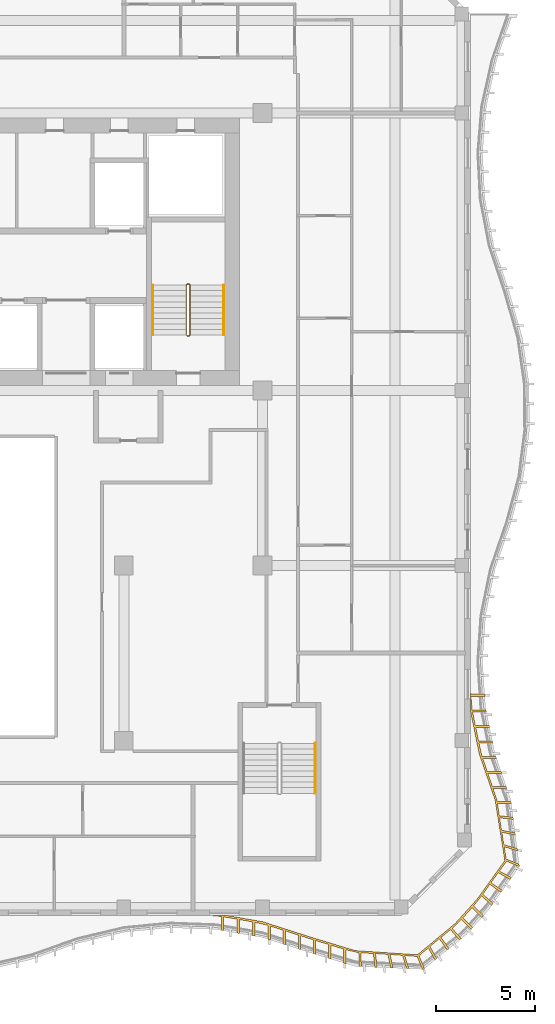
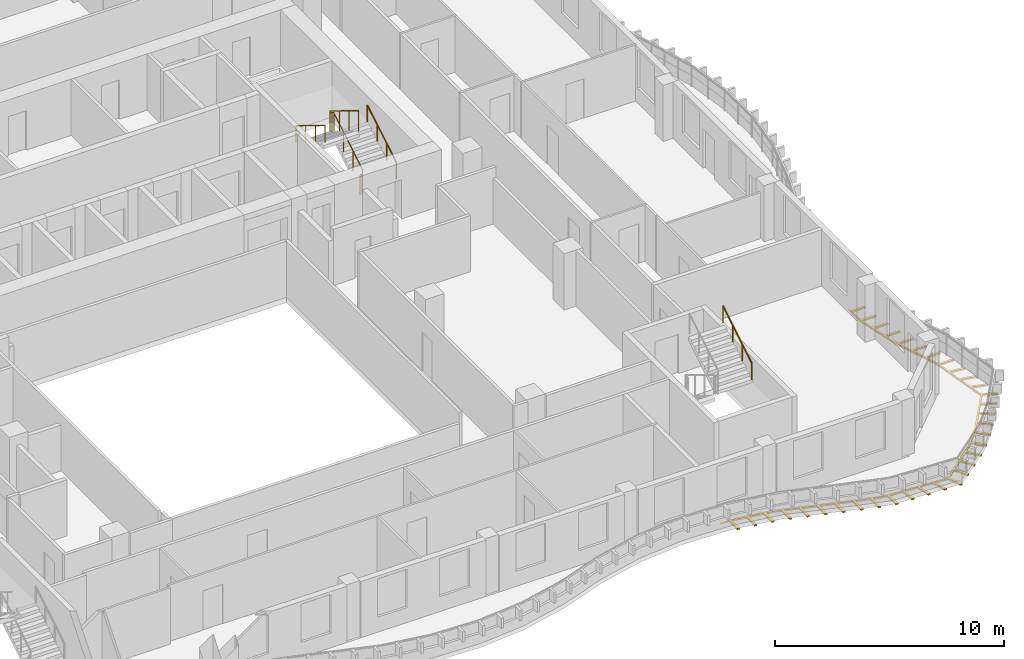
# One storey, part 13 of 13: 4 railings, 1 shading device.
"""IFC4 building model written with IfcOpenShell, lengths in metres."""

from ifc_helpers import new_model, si_unit, direction, frame, origin, origin_2d, place, context, subcontext, project, spatial, polyline, circle, outline, extrude, source, transform, mapped, material, layer, layer_set, type_object, element, save


model = new_model("IFC4")

# Units and contexts
model_context = context("Model", 3, precision=1e-05, world=origin(), true_north=direction((0.0, 1.0)))
body_context = subcontext(model_context, "Body", "Model", "MODEL_VIEW")
ifc_project = project(units=[si_unit("LENGTHUNIT", "METRE"), si_unit("AREAUNIT", "SQUARE_METRE"), si_unit("VOLUMEUNIT", "CUBIC_METRE"), si_unit("PLANEANGLEUNIT", "RADIAN"), si_unit("MASSUNIT", "GRAM", prefix="KILO")], contexts=[model_context])

# Site, building, storey
site_placement = place(None, origin())
site = spatial("IfcSite", under=ifc_project, at=site_placement, CompositionType="ELEMENT")
building_placement = place(site_placement, origin())
building = spatial("IfcBuilding", under=site, at=building_placement, Name="Kilnfold Tower and Market Hall", CompositionType="ELEMENT")
storey_placement = place(building_placement, frame((0.0, 0.0, 259.39990234375)))
storey = spatial("IfcBuildingStorey", under=building, at=storey_placement, Name="L63", CompositionType="ELEMENT", Elevation=259.39990234375)

# Railings
ifc_material_1 = material(Name="Stainless steel 316", Category="steel")
railing_type_1 = type_object("IfcRailingType", Name="CORE STAIR GUARD 1100", PredefinedType="GUARDRAIL", material=ifc_material_1)
railing_1_placement = place(storey_placement, frame((15.199951171875, 10.75, 0.0)))
element("IfcRailing", 1, at=railing_1_placement, inside=storey, type_object=railing_type_1, Name="L63 ST2 stair guard 1", PredefinedType="GUARDRAIL", context=body_context, shape_type="SweptSolid", body=[
    extrude(circle(Radius=0.02392578125, at=origin_2d()), frame((0.0, 0.0, 1.076171875), z_axis=(1.0, 0.0, 0.0), x_axis=(0.0, 1.0, 0.0)), (0.0, 0.0, 1.0), 0.10009765625),
    extrude(circle(Radius=0.02392578125, at=origin_2d()), frame((0.10009765625, 0.0, 1.076171875), z_axis=(0.271562723297, 0.271562723297, 0.923313259209), x_axis=(-0.707106781187, 0.707106781187, 0.0)), (0.0, 0.0, 1.0), 0.184326171875),
    extrude(circle(Radius=0.02392578125, at=origin_2d()), frame((0.150146484375, 0.050048828125, 1.24609375), z_axis=(0.0, 0.85478489116, 0.518982456201), x_axis=(-1.0, 0.0, 0.0)), (0.0, 0.0, 1.0), 2.9482421875),
    extrude(circle(Radius=0.02392578125, at=origin_2d()), frame((0.150146484375, 2.570068359375, 2.7763671875), z_axis=(-0.707106781187, 0.707106781187, 0.0), x_axis=(-0.707106781187, -0.707106781187, 0.0)), (0.0, 0.0, 1.0), 0.07080078125),
    extrude(circle(Radius=0.02392578125, at=origin_2d()), frame((0.10009765625, 2.6201171875, 2.7763671875), z_axis=(-1.0, 0.0, 0.0), x_axis=(0.0, -1.0, 0.0)), (0.0, 0.0, 1.0), 0.10009765625),
    extrude(circle(Radius=0.02392578125, at=origin_2d()), frame((0.0, 2.6201171875, 2.7763671875), z_axis=(-0.271895245746, -0.271895245746, 0.923117517265), x_axis=(0.707106781187, -0.707106781187, 0.0)), (0.0, 0.0, 1.0), 0.18408203125),
    extrude(circle(Radius=0.02392578125, at=origin_2d()), frame((-0.050048828125, 2.570068359375, 2.9462890625), z_axis=(0.0, -0.85478489116, 0.518982456201), x_axis=(1.0, 0.0, 0.0)), (0.0, 0.0, 1.0), 2.9482421875),
    extrude(circle(Radius=0.02099609375, at=origin_2d()), origin(), (0.0, 0.0, 1.0), 1.052001953125),
    extrude(circle(Radius=0.02099609375, at=origin_2d()), frame((0.10009765625, 0.0, 0.0)), (0.0, 0.0, 1.0), 1.052001953125),
    extrude(circle(Radius=0.02099609375, at=origin_2d()), frame((0.150146484375, 0.050048828125, 0.170166015625)), (0.0, 0.0, 1.0), 1.052001953125),
    extrude(circle(Radius=0.02099609375, at=origin_2d()), frame((0.150146484375, 0.89013671875, 0.68017578125)), (0.0, 0.0, 1.0), 1.052001953125),
    extrude(circle(Radius=0.02099609375, at=origin_2d()), frame((0.150146484375, 1.72998046875, 1.190185546875)), (0.0, 0.0, 1.0), 1.052001953125),
    extrude(circle(Radius=0.02099609375, at=origin_2d()), frame((0.150146484375, 2.570068359375, 1.7001953125)), (0.0, 0.0, 1.0), 1.052001953125),
    extrude(circle(Radius=0.02099609375, at=origin_2d()), frame((0.10009765625, 2.6201171875, 1.7001953125)), (0.0, 0.0, 1.0), 1.052001953125),
    extrude(circle(Radius=0.02099609375, at=origin_2d()), frame((0.0, 2.6201171875, 1.7001953125)), (0.0, 0.0, 1.0), 1.052001953125),
    extrude(circle(Radius=0.02099609375, at=origin_2d()), frame((-0.050048828125, 2.570068359375, 1.8701171875)), (0.0, 0.0, 1.0), 1.052001953125),
    extrude(circle(Radius=0.02099609375, at=origin_2d()), frame((-0.050048828125, 1.72998046875, 2.380126953125)), (0.0, 0.0, 1.0), 1.052001953125),
    extrude(circle(Radius=0.02099609375, at=origin_2d()), frame((-0.050048828125, 0.89013671875, 2.89013671875)), (0.0, 0.0, 1.0), 1.052001953125),
    extrude(circle(Radius=0.02099609375, at=origin_2d()), frame((-0.050048828125, 0.050048828125, 3.400146484375)), (0.0, 0.0, 1.0), 1.052001953125),
])
ifc_material_2 = material(Name="Stainless steel 316", Category="steel")
railing_type_2 = type_object("IfcRailingType", Name="CORE STAIR HANDRAIL 900", PredefinedType="HANDRAIL", material=ifc_material_2)
railing_2_placement = place(storey_placement, frame((17.050048828125, 10.800048828125, 0.170166015625)))
element("IfcRailing", 2, at=railing_2_placement, inside=storey, type_object=railing_type_2, Name="L63 ST2 stair handrail 1", PredefinedType="HANDRAIL", context=body_context, shape_type="SweptSolid", body=[
    extrude(circle(Radius=0.02392578125, at=origin_2d()), frame((0.0, 0.0, 0.8759765625), z_axis=(0.0, 0.85478489116, 0.518982456201), x_axis=(-1.0, 0.0, 0.0)), (0.0, 0.0, 1.0), 2.9482421875),
    extrude(circle(Radius=0.02099609375, at=origin_2d()), origin(), (0.0, 0.0, 1.0), 0.851806640625),
    extrude(circle(Radius=0.02099609375, at=origin_2d()), frame((0.0, 0.840087890625, 0.510009765625)), (0.0, 0.0, 1.0), 0.851806640625),
    extrude(circle(Radius=0.02099609375, at=origin_2d()), frame((0.0, 1.679931640625, 1.02001953125)), (0.0, 0.0, 1.0), 0.851806640625),
    extrude(circle(Radius=0.02099609375, at=origin_2d()), frame((0.0, 2.52001953125, 1.530029296875)), (0.0, 0.0, 1.0), 0.851806640625),
])
railing_3_placement = place(storey_placement, frame((13.449951171875, 13.320068359375, 1.8701171875)))
element("IfcRailing", 3, at=railing_3_placement, inside=storey, type_object=railing_type_2, Name="L63 ST2 stair handrail 2", PredefinedType="HANDRAIL", context=body_context, shape_type="SweptSolid", body=[
    extrude(circle(Radius=0.02392578125, at=origin_2d()), frame((0.0, 0.0, 0.8759765625), z_axis=(0.0, -0.85478489116, 0.518982456201), x_axis=(1.0, 0.0, 0.0)), (0.0, 0.0, 1.0), 2.9482421875),
    extrude(circle(Radius=0.02099609375, at=origin_2d()), origin(), (0.0, 0.0, 1.0), 0.851806640625),
    extrude(circle(Radius=0.02099609375, at=origin_2d()), frame((0.0, -0.840087890625, 0.510009765625)), (0.0, 0.0, 1.0), 0.851806640625),
    extrude(circle(Radius=0.02099609375, at=origin_2d()), frame((0.0, -1.679931640625, 1.02001953125)), (0.0, 0.0, 1.0), 0.851806640625),
    extrude(circle(Radius=0.02099609375, at=origin_2d()), frame((0.0, -2.52001953125, 1.530029296875)), (0.0, 0.0, 1.0), 0.851806640625),
])
railing_4_placement = place(storey_placement, frame((21.64990234375, -12.320068359375, 1.8701171875)))
element("IfcRailing", 4, at=railing_4_placement, inside=storey, type_object=railing_type_2, Name="L63 ST4 stair handrail 2", PredefinedType="HANDRAIL", context=body_context, shape_type="SweptSolid", body=[
    extrude(circle(Radius=0.02392578125, at=origin_2d()), frame((0.0, 0.0, 0.8759765625), z_axis=(0.0, 0.85478489116, 0.518982456201), x_axis=(-1.0, 0.0, 0.0)), (0.0, 0.0, 1.0), 2.9482421875),
    extrude(circle(Radius=0.02099609375, at=origin_2d()), origin(), (0.0, 0.0, 1.0), 0.851806640625),
    extrude(circle(Radius=0.02099609375, at=origin_2d()), frame((0.0, 0.840087890625, 0.510009765625)), (0.0, 0.0, 1.0), 0.851806640625),
    extrude(circle(Radius=0.02099609375, at=origin_2d()), frame((0.0, 1.679931640625, 1.02001953125)), (0.0, 0.0, 1.0), 0.851806640625),
    extrude(circle(Radius=0.02099609375, at=origin_2d()), frame((0.0, 2.52001953125, 1.530029296875)), (0.0, 0.0, 1.0), 0.851806640625),
])

# Shading device
ifc_material_3 = material(Name="Bronze anodised aluminium", Category="aluminium")
ifc_layer = layer(ifc_material_3, 0.080078125)
ifc_layer_set = layer_set([ifc_layer], Name="Bronze anodised aluminium")
shading_device_type = type_object("IfcShadingDeviceType", Name="BRONZE SLAT SOFFIT 80", PredefinedType="USERDEFINED", material=ifc_layer_set)
shared_shape = source(origin(), body_context, "Body", "SweptSolid", [
    extrude(outline(polyline([(19.0, -18.799072265625), (21.333251953125, -19.54638671875), (23.666748046875, -20.2578125), (26.81494140625, -20.46728515625), (28.72216796875, -18.888916015625), (29.827880859375, -17.6611328125), (31.226318359375, -15.715087890625), (30.735595703125, -12.666748046875), (29.934326171875, -10.333251953125), (29.5, -8.215576171875), (29.5, -7.164306640625), (29.510009765625, -7.313232421875), (30.2099609375, -7.313232421875), (30.218017578125, -7.432861328125), (29.517822265625, -7.432861328125), (29.578125, -8.109375), (30.2783203125, -8.109375), (30.30224609375, -8.226806640625), (29.602294921875, -8.226806640625), (29.739013671875, -8.89306640625), (30.43896484375, -8.89306640625), (30.462890625, -9.010498046875), (29.762939453125, -9.010498046875), (29.899658203125, -9.6767578125), (30.599609375, -9.6767578125), (30.623779296875, -9.794189453125), (29.923828125, -9.794189453125), (30.076416015625, -10.4560546875), (30.7763671875, -10.4560546875), (30.8154296875, -10.569580078125), (30.115478515625, -10.569580078125), (30.336181640625, -11.212646484375), (31.0361328125, -11.212646484375), (31.0751953125, -11.326171875), (30.375244140625, -11.326171875), (30.595947265625, -11.96923828125), (31.2958984375, -11.96923828125), (31.3349609375, -12.082763671875), (30.635009765625, -12.082763671875), (30.843505859375, -12.723876953125), (31.54345703125, -12.728759765625), (31.55859375, -12.847900390625), (30.85888671875, -12.833251953125), (30.948486328125, -13.452880859375), (31.64501953125, -13.5224609375), (31.660400390625, -13.641357421875), (30.96484375, -13.562255859375), (31.059814453125, -14.181640625), (31.746826171875, -14.31591796875), (31.76220703125, -14.434814453125), (31.076904296875, -14.291015625), (31.177001953125, -14.911376953125), (31.848388671875, -15.109375), (31.86376953125, -15.228515625), (31.1953125, -15.02099609375), (31.2998046875, -15.643798828125), (31.9501953125, -15.90283203125), (31.96533203125, -16.021240234375), (31.318115234375, -15.75390625), (30.952880859375, -16.245849609375), (31.5703125, -16.57568359375), (31.50048828125, -16.67333984375), (30.888916015625, -16.332763671875), (30.53125, -16.827392578125), (31.10595703125, -17.22705078125), (31.036376953125, -17.32470703125), (30.46875, -16.9150390625), (30.117431640625, -17.414794921875), (30.6416015625, -17.878662109375), (30.572021484375, -17.976318359375), (30.055908203125, -17.50341796875), (29.6494140625, -18.008544921875), (30.144287109375, -18.50341796875), (30.064208984375, -18.5927734375), (29.569091796875, -18.09765625), (29.114013671875, -18.60302734375), (29.60888671875, -19.097900390625), (29.52880859375, -19.18701171875), (29.03369140625, -18.692138671875), (28.56640625, -19.139404296875), (29.038818359375, -19.65576171875), (28.945556640625, -19.731201171875), (28.481689453125, -19.20703125), (28.005615234375, -19.59228515625), (28.416748046875, -20.15869140625), (28.323486328125, -20.234130859375), (27.921875, -19.660888671875), (27.450439453125, -20.05224609375), (27.794677734375, -20.66162109375), (27.701416015625, -20.7373046875), (27.36767578125, -20.121826171875), (26.898681640625, -20.5205078125), (27.172607421875, -21.164794921875), (27.12109375, -21.206298828125), (27.0673828125, -21.2041015625), (26.80322265625, -20.555908203125), (26.17431640625, -20.50830078125), (26.387939453125, -21.1748046875), (26.26806640625, -21.169677734375), (26.0634765625, -20.500244140625), (25.436767578125, -20.45703125), (25.588623046875, -21.140380859375), (25.46875, -21.13525390625), (25.326416015625, -20.449951171875), (24.700927734375, -20.41162109375), (24.78955078125, -21.10595703125), (24.669677734375, -21.100830078125), (24.590576171875, -20.4052734375), (23.96484375, -20.3720703125), (23.990234375, -21.071533203125), (23.870361328125, -21.06640625), (23.8544921875, -20.36669921875), (23.211181640625, -20.21875), (23.211181640625, -20.918701171875), (23.096435546875, -20.8837890625), (23.096435546875, -20.183837890625), (22.446044921875, -19.985595703125), (22.446044921875, -20.685546875), (22.331298828125, -20.650634765625), (22.331298828125, -19.95068359375), (21.6806640625, -19.752197265625), (21.6806640625, -20.452392578125), (21.56591796875, -20.417236328125), (21.56591796875, -19.71728515625), (20.917236328125, -19.51318359375), (20.917236328125, -20.213134765625), (20.802978515625, -20.176513671875), (20.802978515625, -19.4765625), (20.155517578125, -19.269287109375), (20.155517578125, -19.96923828125), (20.041259765625, -19.9326171875), (20.041259765625, -19.232666015625), (19.3935546875, -19.025146484375), (19.3935546875, -19.72509765625), (19.279296875, -19.6884765625), (19.279296875, -18.988525390625), (18.618896484375, -18.8330078125), (18.618896484375, -19.532958984375), (18.500732421875, -19.512451171875), (18.500732421875, -18.8125), (17.830810546875, -18.696044921875), (17.830810546875, -19.39599609375), (17.71240234375, -19.37548828125), (17.71240234375, -18.675537109375), (17.04248046875, -18.55908203125), (17.04248046875, -19.25927734375), (16.92431640625, -19.238525390625), (16.92431640625, -18.53857421875), (16.489990234375, -18.5), (17.277587890625, -18.5), (19.0, -18.799072265625)])), origin(), (0.0, 0.0, 1.0), 0.079833984375),
])
shading_device_placement = place(storey_placement, frame((0.0, 0.0, -0.2998046875)))
element("IfcShadingDevice", 5, at=shading_device_placement, inside=storey, type_object=shading_device_type, Name="Balcony soffit slats L63", ObjectType="SLAT", PredefinedType="USERDEFINED", context=body_context, shape_type="MappedRepresentation", body=[
    mapped(shared_shape, transform((0.0, 0.0, 0.0))),
])

save(model, "model.ifc")
